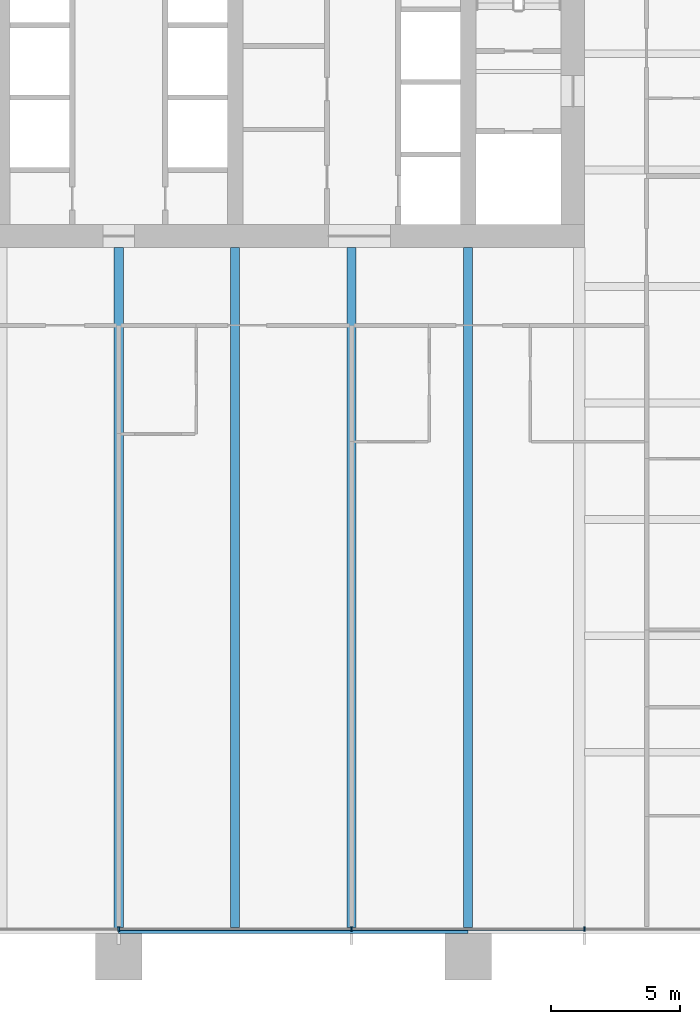
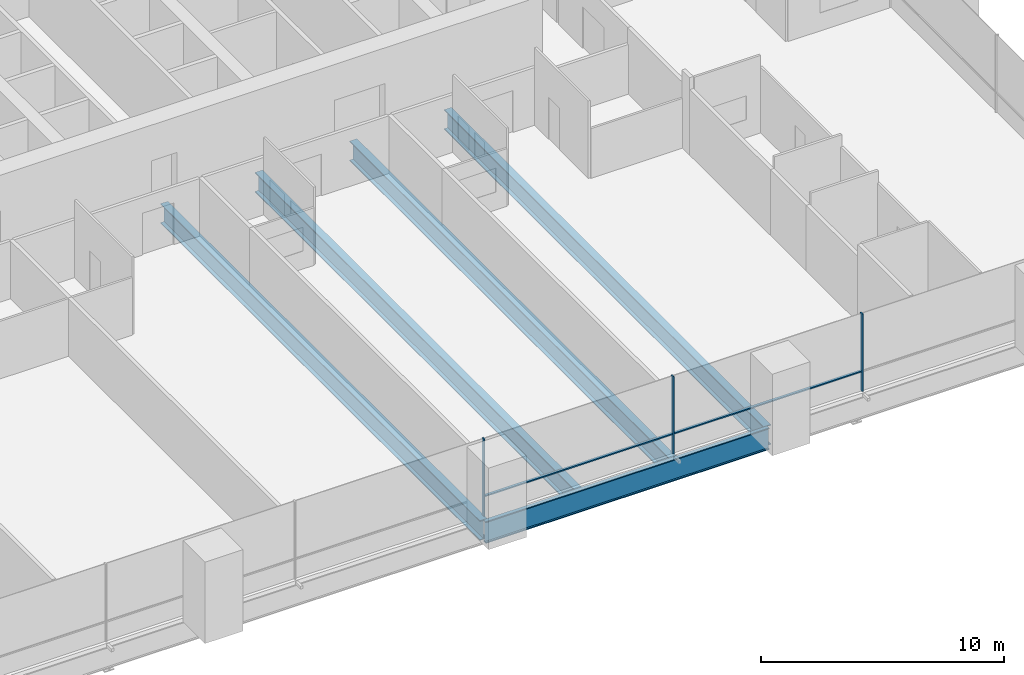
# One storey, part 5 of 18: 5 beams, 5 members, 1 element without a shape of its own.
"""IFC4 building model written with IfcOpenShell, lengths in metres."""

from ifc_helpers import new_model, si_unit, direction, frame, origin, origin_2d, place, context, subcontext, project, spatial, rectangle, i_section, extrude, material, material_profile, profile_set, type_object, element, aggregate, save


model = new_model("IFC4")

# Units and contexts
model_context = context("Model", 3, precision=1e-05, world=origin(), true_north=direction((0.0, 1.0)))
body_context = subcontext(model_context, "Body", "Model", "MODEL_VIEW")
ifc_project = project(units=[si_unit("LENGTHUNIT", "METRE"), si_unit("AREAUNIT", "SQUARE_METRE"), si_unit("VOLUMEUNIT", "CUBIC_METRE"), si_unit("PLANEANGLEUNIT", "RADIAN"), si_unit("MASSUNIT", "GRAM", prefix="KILO")], contexts=[model_context])

# Site, building, storey
site_placement = place(None, origin())
site = spatial("IfcSite", under=ifc_project, at=site_placement, CompositionType="ELEMENT")
building_placement = place(site_placement, origin())
building = spatial("IfcBuilding", under=site, at=building_placement, Name="Rattan Terrace Tower", CompositionType="ELEMENT")
storey_placement = place(building_placement, frame((0.0, 0.0, 36.5)))
storey = spatial("IfcBuildingStorey", under=building, at=storey_placement, Name="L07", CompositionType="ELEMENT", Elevation=36.5)

# Curtain wall, members
ifc_material_1 = material(Name="Aluminium and glass", Category="aluminium")
curtain_wall_type = type_object("IfcCurtainWallType", Name="Facade Unitised Curtain Wall", PredefinedType="NOTDEFINED", material=ifc_material_1)
curtain_wall_placement = place(storey_placement, origin())
curtain_wall = element("IfcCurtainWall", 1, at=curtain_wall_placement, inside=storey, type_object=curtain_wall_type, Name="Curtain wall L07-4", PredefinedType="NOTDEFINED")
ifc_material_2 = material(Name="Aluminium", Category="aluminium")
ifc_material_profile_1 = material_profile(ifc_material_2, rectangle(XDim=0.06005859375, YDim=0.159912109375, at=origin_2d()), Name="Aluminium 60x160")
ifc_profile_set_1 = profile_set([ifc_material_profile_1], Name="Aluminium")
member_type_1 = type_object("IfcMemberType", Name="Facade CW Mullion 60x160", PredefinedType="MULLION", material=ifc_profile_set_1)
member_1_placement = place(storey_placement, frame((0.0, -33.830078125, 0.0), z_axis=(0.0, 0.0, 1.0), x_axis=(1.0, 0.0, 0.0)))
member_1 = element("IfcMember", 2, at=member_1_placement, type_object=member_type_1, Name="Mullion cwl-L07-004.4", PredefinedType="MULLION", context=body_context, shape_type="SweptSolid", body=[
    extrude(rectangle(XDim=0.06005859375, YDim=0.159912109375, at=origin_2d()), origin(), (0.0, 0.0, 1.0), 3.89990234375),
])
member_2_placement = place(storey_placement, frame((9.0, -33.830078125, 0.0), z_axis=(0.0, 0.0, 1.0), x_axis=(1.0, 0.0, 0.0)))
member_2 = element("IfcMember", 3, at=member_2_placement, type_object=member_type_1, Name="Mullion cwl-L07-004.5", PredefinedType="MULLION", context=body_context, shape_type="SweptSolid", body=[
    extrude(rectangle(XDim=0.06005859375, YDim=0.159912109375, at=origin_2d()), origin(), (0.0, 0.0, 1.0), 3.89990234375),
])
member_3_placement = place(storey_placement, frame((18.0, -33.830078125, 0.0), z_axis=(0.0, 0.0, 1.0), x_axis=(1.0, 0.0, 0.0)))
member_3 = element("IfcMember", 4, at=member_3_placement, type_object=member_type_1, Name="Mullion cwl-L07-004.6", PredefinedType="MULLION", context=body_context, shape_type="SweptSolid", body=[
    extrude(rectangle(XDim=0.06005859375, YDim=0.159912109375, at=origin_2d()), origin(), (0.0, 0.0, 1.0), 3.89990234375),
])
ifc_material_3 = material(Name="Aluminium", Category="aluminium")
ifc_material_profile_2 = material_profile(ifc_material_3, rectangle(XDim=0.1201171875, YDim=0.06005859375, at=origin_2d()), Name="Aluminium 120x60")
ifc_profile_set_2 = profile_set([ifc_material_profile_2], Name="Aluminium")
member_type_2 = type_object("IfcMemberType", Name="Facade CW Transom 120x60", PredefinedType="USERDEFINED", material=ifc_profile_set_2)
member_4_placement = place(storey_placement, frame((0.030029296875, -33.830078125, 1.0), z_axis=(1.0, 0.0, 0.0), x_axis=(0.0, 1.0, 0.0)))
member_4 = element("IfcMember", 5, at=member_4_placement, type_object=member_type_2, Name="Transom cwl-L07-004.4", ObjectType="TRANSOM", PredefinedType="USERDEFINED", context=body_context, shape_type="SweptSolid", body=[
    extrude(rectangle(XDim=0.1201171875, YDim=0.06005859375, at=origin_2d()), origin(), (0.0, 0.0, 1.0), 8.93994140625),
])
member_5_placement = place(storey_placement, frame((9.030029296875, -33.830078125, 1.0), z_axis=(1.0, 0.0, 0.0), x_axis=(0.0, 1.0, 0.0)))
member_5 = element("IfcMember", 6, at=member_5_placement, type_object=member_type_2, Name="Transom cwl-L07-004.5", ObjectType="TRANSOM", PredefinedType="USERDEFINED", context=body_context, shape_type="SweptSolid", body=[
    extrude(rectangle(XDim=0.1201171875, YDim=0.06005859375, at=origin_2d()), origin(), (0.0, 0.0, 1.0), 8.93994140625),
])
aggregate(curtain_wall, [member_1, member_2, member_3, member_4, member_5])

# Beams
ifc_material_4 = material(Name="Steel S460", Category="steel")
ifc_material_profile_3 = material_profile(ifc_material_4, i_section(OverallWidth=0.179931640625, OverallDepth=1.10009765625, WebThickness=0.01611328125, FlangeThickness=0.050048828125, at=origin_2d()), Name="PG 1100x180-16-50")
ifc_profile_set_3 = profile_set([ifc_material_profile_3], Name="Steel S460")
beam_type_1 = type_object("IfcBeamType", Name="Frame edge girder PG 1100x180-16-50", PredefinedType="SPANDREL", material=ifc_profile_set_3)
beam_placement = place(storey_placement, frame((0.0, -33.909912109375, -0.75), z_axis=(1.0, 0.0, 0.0), x_axis=(0.0, 1.0, 0.0)))
element("IfcBeam", 7, at=beam_placement, inside=storey, type_object=beam_type_1, Name="gdr-L07-003", PredefinedType="SPANDREL", context=body_context, shape_type="SweptSolid", body=[
    extrude(i_section(OverallWidth=0.179931640625, OverallDepth=1.10009765625, WebThickness=0.01611328125, FlangeThickness=0.050048828125, at=origin_2d()), origin(), (0.0, 0.0, 1.0), 13.5),
])
ifc_material_5 = material(Name="Steel S460", Category="steel")
ifc_material_profile_4 = material_profile(ifc_material_5, i_section(OverallWidth=0.35009765625, OverallDepth=1.0, WebThickness=0.01611328125, FlangeThickness=0.044921875, at=origin_2d()), Name="PG 1000x350-16-45")
ifc_profile_set_4 = profile_set([ifc_material_profile_4], Name="Steel S460")
beam_type_2 = type_object("IfcBeamType", Name="Frame floor beam PG 1000x350-16-45", PredefinedType="JOIST", material=ifc_profile_set_4)
for number, where, z_axis, x_axis, name in (
    (8, (0.0, -33.820068359375, -0.699951171875), (0.0, 1.0, 0.0), (-1.0, 0.0, 0.0), "bm-L07-006"),
    (9, (4.5, -33.820068359375, -0.699951171875), (0.0, 1.0, 0.0), (-1.0, 0.0, 0.0), "bm-L07-007"),
    (10, (9.0, -33.820068359375, -0.699951171875), (0.0, 1.0, 0.0), (-1.0, 0.0, 0.0), "bm-L07-008"),
    (11, (13.5, -33.820068359375, -0.699951171875), (0.0, 1.0, 0.0), (-1.0, 0.0, 0.0), "bm-L07-009"),
):
    element("IfcBeam", number, at=place(storey_placement, frame(where, z_axis=z_axis, x_axis=x_axis)), inside=storey, type_object=beam_type_2, Name=name, PredefinedType="JOIST", context=body_context, shape_type="SweptSolid", body=[
        extrude(i_section(OverallWidth=0.35009765625, OverallDepth=1.0, WebThickness=0.01611328125, FlangeThickness=0.044921875, at=origin_2d()), origin(), (0.0, 0.0, 1.0), 26.320068359375),
    ])

save(model, "model.ifc")
